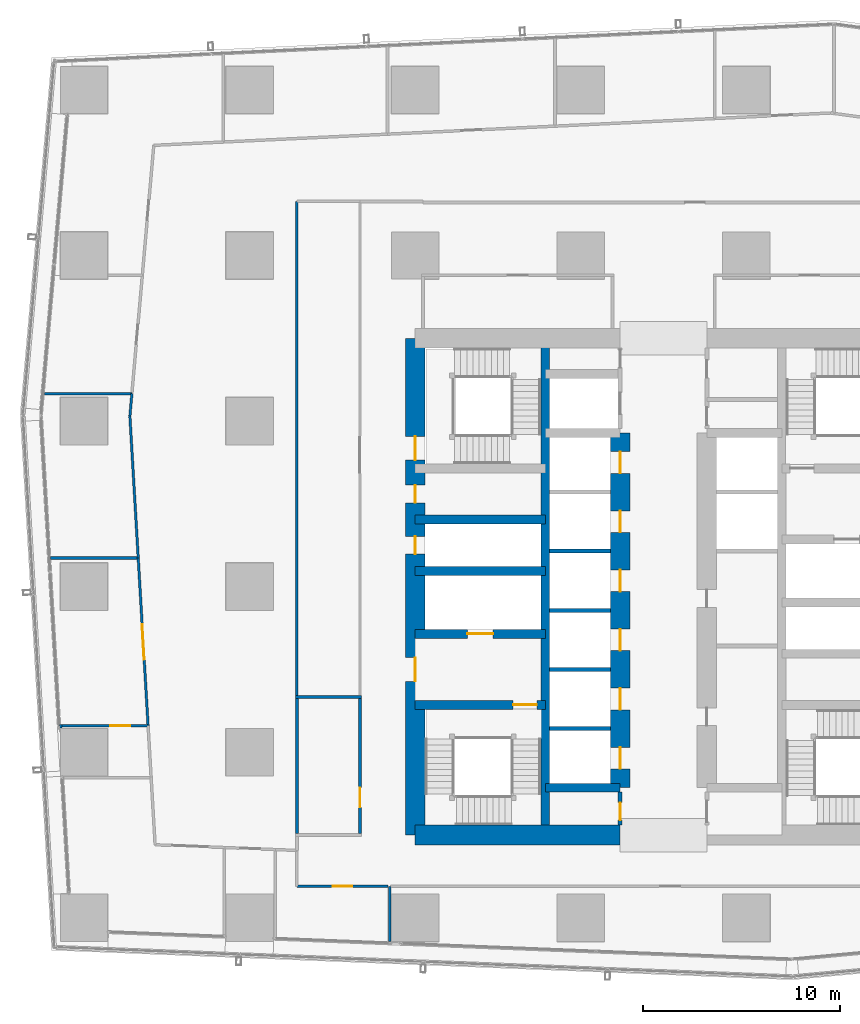
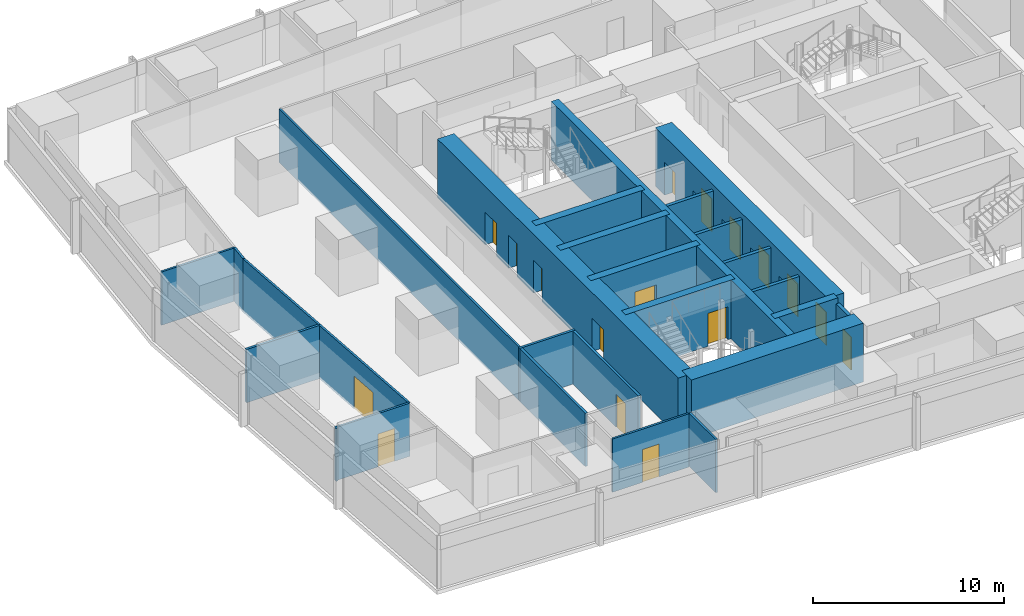
# One storey, part 23 of 34: 27 walls, 17 doors, 17 openings.
"""IFC4 building model written with IfcOpenShell, lengths in metres."""

from ifc_helpers import new_model, si_unit, direction, frame, frame_2d, origin, place, context, subcontext, project, spatial, rectangle, extrude, material, layer, layer_set, type_object, element, fill, save


model = new_model("IFC4")

# Units and contexts
model_context = context("Model", 3, precision=1e-05, world=origin(), true_north=direction((0.0, 1.0)))
body_context = subcontext(model_context, "Body", "Model", "MODEL_VIEW")
ifc_project = project(units=[si_unit("LENGTHUNIT", "METRE"), si_unit("AREAUNIT", "SQUARE_METRE"), si_unit("VOLUMEUNIT", "CUBIC_METRE"), si_unit("PLANEANGLEUNIT", "RADIAN"), si_unit("MASSUNIT", "GRAM", prefix="KILO")], contexts=[model_context])

# Site, building, storey
site_placement = place(None, origin())
site = spatial("IfcSite", under=ifc_project, at=site_placement, CompositionType="ELEMENT")
building_placement = place(site_placement, origin())
building = spatial("IfcBuilding", under=site, at=building_placement, Name="Rekha Terrace Tower", CompositionType="ELEMENT")
storey_placement = place(building_placement, frame((0.0, 0.0, 236.449951171875)))
storey = spatial("IfcBuildingStorey", under=building, at=storey_placement, Name="L60", CompositionType="ELEMENT", Elevation=236.449951171875)

# Walls
ifc_material_1 = material(Name="Concrete M60", Category="concrete")
ifc_layer_1 = layer(ifc_material_1, 0.449951171875)
ifc_layer_set_1 = layer_set([ifc_layer_1], Name="Concrete M60")
wall_type_1 = type_object("IfcWallType", Name="CI3 450 core internal shear wall", PredefinedType="SHEAR", material=ifc_layer_set_1)
wall_1_placement = place(storey_placement, frame((31.800048828125, 21.0, 0.0), z_axis=(0.0, 0.0, 1.0), x_axis=(0.0, 1.0, 0.0)))
element("IfcWall", 1, at=wall_1_placement, inside=storey, type_object=wall_type_1, Name="Core wall X318 L60", PredefinedType="SHEAR", context=body_context, shape_type="SweptSolid", body=[
    extrude(rectangle(XDim=25.199951171875, YDim=0.449951171875, at=frame_2d((12.60009765625, 0.0))), origin(), (0.0, 0.0, 1.0), 3.75),
])
wall_2_placement = place(storey_placement, frame((31.800048828125, 23.39990234375, 0.0), z_axis=(0.0, 0.0, 1.0), x_axis=(1.0, 0.0, 0.0)))
element("IfcWall", 2, at=wall_2_placement, inside=storey, type_object=wall_type_1, Name="Core wall Y234W L60", PredefinedType="SHEAR", context=body_context, shape_type="SweptSolid", body=[
    extrude(rectangle(XDim=3.800048828125, YDim=0.449951171875, at=frame_2d((1.89990234375, 0.0))), origin(), (0.0, 0.0, 1.0), 3.75),
])

# Wall, opening, door
wall_3_placement = place(storey_placement, frame((25.199951171875, 27.60009765625, 0.0), z_axis=(0.0, 0.0, 1.0), x_axis=(1.0, 0.0, 0.0)))
wall_3 = element("IfcWall", 3, at=wall_3_placement, inside=storey, type_object=wall_type_1, Name="Core wall Y276W L60", PredefinedType="SHEAR", context=body_context, shape_type="SweptSolid", body=[
    extrude(rectangle(XDim=6.60009765625, YDim=0.449951171875, at=frame_2d((3.300048828125, 0.0))), origin(), (0.0, 0.0, 1.0), 3.75),
])
opening_1_placement = place(wall_3_placement, frame((4.97509765625, 0.0, 0.0)))
opening_1 = element("IfcOpeningElement", 4, at=opening_1_placement, cuts=wall_3, Name="Opening D1", PredefinedType="OPENING", context=body_context, shape_type="SweptSolid", body=[
    extrude(rectangle(XDim=1.199951171875, YDim=2.10009765625, at=frame_2d((0.60009765625, 1.050048828125))), frame((0.0, 0.23486328125, 0.0), z_axis=(0.0, -1.0, 0.0), x_axis=(1.0, 0.0, 0.0)), (0.0, 0.0, 1.0), 0.469970703125),
])
ifc_material_2 = material(Name="Steel fire door", Category="steel")
door_type_1 = type_object("IfcDoorType", Name="D1 1200x2100 stair fire door", OperationType="SINGLE_SWING_RIGHT", PredefinedType="DOOR", material=ifc_material_2)
door_1_placement = place(opening_1_placement, origin())
door_1 = element("IfcDoor", 5, at=door_1_placement, inside=storey, type_object=door_type_1, Name="Stair ST1 door L60", OperationType="SINGLE_SWING_RIGHT", OverallHeight=2.10009765625, OverallWidth=1.199951171875, PredefinedType="DOOR", context=body_context, shape_type="SweptSolid", body=[
    extrude(rectangle(XDim=1.199951171875, YDim=2.10009765625, at=frame_2d((0.60009765625, 1.050048828125))), frame((0.0, 0.02490234375, 0.0), z_axis=(0.0, -1.0, 0.0), x_axis=(1.0, 0.0, 0.0)), (0.0, 0.0, 1.0), 0.050048828125),
])
fill(opening_1, door_1)

wall_4_placement = place(storey_placement, frame((25.199951171875, 31.199951171875, 0.0), z_axis=(0.0, 0.0, 1.0), x_axis=(1.0, 0.0, 0.0)))
wall_4 = element("IfcWall", 6, at=wall_4_placement, inside=storey, type_object=wall_type_1, Name="Core wall Y312W L60", PredefinedType="SHEAR", context=body_context, shape_type="SweptSolid", body=[
    extrude(rectangle(XDim=6.60009765625, YDim=0.449951171875, at=frame_2d((3.300048828125, 0.0))), origin(), (0.0, 0.0, 1.0), 3.75),
])
opening_2_placement = place(wall_4_placement, frame((2.64990234375, 0.0, 0.0)))
opening_2 = element("IfcOpeningElement", 7, at=opening_2_placement, cuts=wall_4, Name="Opening LD2", PredefinedType="OPENING", context=body_context, shape_type="SweptSolid", body=[
    extrude(rectangle(XDim=1.300048828125, YDim=2.10009765625, at=frame_2d((0.64990234375, 1.050048828125))), frame((0.0, 0.23486328125, 0.0), z_axis=(0.0, -1.0, 0.0), x_axis=(1.0, 0.0, 0.0)), (0.0, 0.0, 1.0), 0.469970703125),
])
ifc_material_3 = material(Name="Stainless steel sliding landing door", Category="steel")
door_type_2 = type_object("IfcDoorType", Name="LD2 1300x2100 fire lift landing door", OperationType="SLIDING_TO_LEFT", PredefinedType="USERDEFINED", material=ifc_material_3)
door_2_placement = place(opening_2_placement, origin())
door_2 = element("IfcDoor", 8, at=door_2_placement, inside=storey, type_object=door_type_2, Name="Lift FL1 landing door L60", ObjectType="LIFT LANDING DOOR", OperationType="SLIDING_TO_LEFT", OverallHeight=2.10009765625, OverallWidth=1.300048828125, PredefinedType="USERDEFINED", context=body_context, shape_type="SweptSolid", body=[
    extrude(rectangle(XDim=1.300048828125, YDim=2.10009765625, at=frame_2d((0.64990234375, 1.050048828125))), frame((0.0, 0.02490234375, 0.0), z_axis=(0.0, -1.0, 0.0), x_axis=(1.0, 0.0, 0.0)), (0.0, 0.0, 1.0), 0.050048828125),
])
fill(opening_2, door_2)

# Walls
for number, where, z_axis, x_axis, name in (
    (9, (25.199951171875, 34.39990234375, 0.0), (0.0, 0.0, 1.0), (1.0, 0.0, 0.0), "Core wall Y344W L60"),
    (10, (25.199951171875, 37.0, 0.0), (0.0, 0.0, 1.0), (1.0, 0.0, 0.0), "Core wall Y370W L60"),
):
    element("IfcWall", number, at=place(storey_placement, frame(where, z_axis=z_axis, x_axis=x_axis)), inside=storey, type_object=wall_type_1, Name=name, PredefinedType="SHEAR", context=body_context, shape_type="SweptSolid", body=[
        extrude(rectangle(XDim=6.60009765625, YDim=0.449951171875, at=frame_2d((3.300048828125, 0.0))), origin(), (0.0, 0.0, 1.0), 3.75),
    ])

# Wall, openings, doors
ifc_layer_2 = layer(ifc_material_1, 1.0)
ifc_layer_set_2 = layer_set([ifc_layer_2], Name="Concrete M60")
wall_type_2 = type_object("IfcWallType", Name="LW3 1000 core lobby wall at an outrigger level", PredefinedType="SHEAR", material=ifc_layer_set_2)
wall_5_placement = place(storey_placement, frame((35.60009765625, 23.39990234375, 0.0), z_axis=(0.0, 0.0, 1.0), x_axis=(0.0, 1.0, 0.0)))
wall_5 = element("IfcWall", 11, at=wall_5_placement, inside=storey, type_object=wall_type_2, Name="Core wall X356 L60", PredefinedType="SHEAR", context=body_context, shape_type="SweptSolid", body=[
    extrude(rectangle(XDim=18.0, YDim=1.0, at=frame_2d((9.0, 0.0))), origin(), (0.0, 0.0, 1.0), 3.75),
])
opening_3_placement = place(wall_5_placement, frame((0.949951171875, 0.0, 0.0)))
opening_3 = element("IfcOpeningElement", 12, at=opening_3_placement, cuts=wall_5, Name="Opening LD1", PredefinedType="OPENING", context=body_context, shape_type="SweptSolid", body=[
    extrude(rectangle(XDim=1.10009765625, YDim=2.10009765625, at=frame_2d((0.550048828125, 1.050048828125))), frame((0.0, 0.510009765625, 0.0), z_axis=(0.0, -1.0, 0.0), x_axis=(1.0, 0.0, 0.0)), (0.0, 0.0, 1.0), 1.02001953125),
])
opening_4_placement = place(wall_5_placement, frame((3.949951171875, 0.0, 0.0)))
opening_4 = element("IfcOpeningElement", 13, at=opening_4_placement, cuts=wall_5, Name="Opening LD1", PredefinedType="OPENING", context=body_context, shape_type="SweptSolid", body=[
    extrude(rectangle(XDim=1.10009765625, YDim=2.10009765625, at=frame_2d((0.550048828125, 1.050048828125))), frame((0.0, 0.510009765625, 0.0), z_axis=(0.0, -1.0, 0.0), x_axis=(1.0, 0.0, 0.0)), (0.0, 0.0, 1.0), 1.02001953125),
])
opening_5_placement = place(wall_5_placement, frame((6.949951171875, 0.0, 0.0)))
opening_5 = element("IfcOpeningElement", 14, at=opening_5_placement, cuts=wall_5, Name="Opening LD1", PredefinedType="OPENING", context=body_context, shape_type="SweptSolid", body=[
    extrude(rectangle(XDim=1.10009765625, YDim=2.10009765625, at=frame_2d((0.550048828125, 1.050048828125))), frame((0.0, 0.510009765625, 0.0), z_axis=(0.0, -1.0, 0.0), x_axis=(1.0, 0.0, 0.0)), (0.0, 0.0, 1.0), 1.02001953125),
])
opening_6_placement = place(wall_5_placement, frame((9.949951171875, 0.0, 0.0)))
opening_6 = element("IfcOpeningElement", 15, at=opening_6_placement, cuts=wall_5, Name="Opening LD1", PredefinedType="OPENING", context=body_context, shape_type="SweptSolid", body=[
    extrude(rectangle(XDim=1.10009765625, YDim=2.10009765625, at=frame_2d((0.550048828125, 1.050048828125))), frame((0.0, 0.510009765625, 0.0), z_axis=(0.0, -1.0, 0.0), x_axis=(1.0, 0.0, 0.0)), (0.0, 0.0, 1.0), 1.02001953125),
])
opening_7_placement = place(wall_5_placement, frame((12.949951171875, 0.0, 0.0)))
opening_7 = element("IfcOpeningElement", 16, at=opening_7_placement, cuts=wall_5, Name="Opening LD1", PredefinedType="OPENING", context=body_context, shape_type="SweptSolid", body=[
    extrude(rectangle(XDim=1.10009765625, YDim=2.10009765625, at=frame_2d((0.550048828125, 1.050048828125))), frame((0.0, 0.510009765625, 0.0), z_axis=(0.0, -1.0, 0.0), x_axis=(1.0, 0.0, 0.0)), (0.0, 0.0, 1.0), 1.02001953125),
])
opening_8_placement = place(wall_5_placement, frame((15.949951171875, 0.0, 0.0)))
opening_8 = element("IfcOpeningElement", 17, at=opening_8_placement, cuts=wall_5, Name="Opening LD1", PredefinedType="OPENING", context=body_context, shape_type="SweptSolid", body=[
    extrude(rectangle(XDim=1.10009765625, YDim=2.10009765625, at=frame_2d((0.550048828125, 1.050048828125))), frame((0.0, 0.510009765625, 0.0), z_axis=(0.0, -1.0, 0.0), x_axis=(1.0, 0.0, 0.0)), (0.0, 0.0, 1.0), 1.02001953125),
])
door_type_3 = type_object("IfcDoorType", Name="LD1 1100x2100 lift landing door", OperationType="SLIDING_TO_LEFT", PredefinedType="USERDEFINED", material=ifc_material_3)
door_3_placement = place(opening_3_placement, origin())
door_3 = element("IfcDoor", 18, at=door_3_placement, inside=storey, type_object=door_type_3, Name="Lift C1 landing door L60", ObjectType="LIFT LANDING DOOR", OperationType="SLIDING_TO_LEFT", OverallHeight=2.10009765625, OverallWidth=1.10009765625, PredefinedType="USERDEFINED", context=body_context, shape_type="SweptSolid", body=[
    extrude(rectangle(XDim=1.10009765625, YDim=2.10009765625, at=frame_2d((0.550048828125, 1.050048828125))), frame((0.0, 0.02490234375, 0.0), z_axis=(0.0, -1.0, 0.0), x_axis=(1.0, 0.0, 0.0)), (0.0, 0.0, 1.0), 0.050048828125),
])
fill(opening_3, door_3)
door_4_placement = place(opening_4_placement, origin())
door_4 = element("IfcDoor", 19, at=door_4_placement, inside=storey, type_object=door_type_3, Name="Lift C2 landing door L60", ObjectType="LIFT LANDING DOOR", OperationType="SLIDING_TO_LEFT", OverallHeight=2.10009765625, OverallWidth=1.10009765625, PredefinedType="USERDEFINED", context=body_context, shape_type="SweptSolid", body=[
    extrude(rectangle(XDim=1.10009765625, YDim=2.10009765625, at=frame_2d((0.550048828125, 1.050048828125))), frame((0.0, 0.02490234375, 0.0), z_axis=(0.0, -1.0, 0.0), x_axis=(1.0, 0.0, 0.0)), (0.0, 0.0, 1.0), 0.050048828125),
])
fill(opening_4, door_4)
door_5_placement = place(opening_5_placement, origin())
door_5 = element("IfcDoor", 20, at=door_5_placement, inside=storey, type_object=door_type_3, Name="Lift C3 landing door L60", ObjectType="LIFT LANDING DOOR", OperationType="SLIDING_TO_LEFT", OverallHeight=2.10009765625, OverallWidth=1.10009765625, PredefinedType="USERDEFINED", context=body_context, shape_type="SweptSolid", body=[
    extrude(rectangle(XDim=1.10009765625, YDim=2.10009765625, at=frame_2d((0.550048828125, 1.050048828125))), frame((0.0, 0.02490234375, 0.0), z_axis=(0.0, -1.0, 0.0), x_axis=(1.0, 0.0, 0.0)), (0.0, 0.0, 1.0), 0.050048828125),
])
fill(opening_5, door_5)
door_6_placement = place(opening_6_placement, origin())
door_6 = element("IfcDoor", 21, at=door_6_placement, inside=storey, type_object=door_type_3, Name="Lift C4 landing door L60", ObjectType="LIFT LANDING DOOR", OperationType="SLIDING_TO_LEFT", OverallHeight=2.10009765625, OverallWidth=1.10009765625, PredefinedType="USERDEFINED", context=body_context, shape_type="SweptSolid", body=[
    extrude(rectangle(XDim=1.10009765625, YDim=2.10009765625, at=frame_2d((0.550048828125, 1.050048828125))), frame((0.0, 0.02490234375, 0.0), z_axis=(0.0, -1.0, 0.0), x_axis=(1.0, 0.0, 0.0)), (0.0, 0.0, 1.0), 0.050048828125),
])
fill(opening_6, door_6)
door_7_placement = place(opening_7_placement, origin())
door_7 = element("IfcDoor", 22, at=door_7_placement, inside=storey, type_object=door_type_3, Name="Lift C5 landing door L60", ObjectType="LIFT LANDING DOOR", OperationType="SLIDING_TO_LEFT", OverallHeight=2.10009765625, OverallWidth=1.10009765625, PredefinedType="USERDEFINED", context=body_context, shape_type="SweptSolid", body=[
    extrude(rectangle(XDim=1.10009765625, YDim=2.10009765625, at=frame_2d((0.550048828125, 1.050048828125))), frame((0.0, 0.02490234375, 0.0), z_axis=(0.0, -1.0, 0.0), x_axis=(1.0, 0.0, 0.0)), (0.0, 0.0, 1.0), 0.050048828125),
])
fill(opening_7, door_7)
door_8_placement = place(opening_8_placement, origin())
door_8 = element("IfcDoor", 23, at=door_8_placement, inside=storey, type_object=door_type_3, Name="Lift C6 landing door L60", ObjectType="LIFT LANDING DOOR", OperationType="SLIDING_TO_LEFT", OverallHeight=2.10009765625, OverallWidth=1.10009765625, PredefinedType="USERDEFINED", context=body_context, shape_type="SweptSolid", body=[
    extrude(rectangle(XDim=1.10009765625, YDim=2.10009765625, at=frame_2d((0.550048828125, 1.050048828125))), frame((0.0, 0.02490234375, 0.0), z_axis=(0.0, -1.0, 0.0), x_axis=(1.0, 0.0, 0.0)), (0.0, 0.0, 1.0), 0.050048828125),
])
fill(opening_8, door_8)

# Wall
ifc_layer_3 = layer(ifc_material_1, 1.0)
ifc_layer_set_3 = layer_set([ifc_layer_3], Name="Concrete M60")
wall_type_3 = type_object("IfcWallType", Name="SW3 1000 core outer shear wall", PredefinedType="SHEAR", material=ifc_layer_set_3)
wall_6_placement = place(storey_placement, frame((25.199951171875, 21.0, 0.0), z_axis=(0.0, 0.0, 1.0), x_axis=(1.0, 0.0, 0.0)))
element("IfcWall", 24, at=wall_6_placement, inside=storey, type_object=wall_type_3, Name="Core wall S1 L60", PredefinedType="SHEAR", context=body_context, shape_type="SweptSolid", body=[
    extrude(rectangle(XDim=10.400146484375, YDim=1.0, at=frame_2d((5.2001953125, 0.0))), origin(), (0.0, 0.0, 1.0), 3.75),
])

# Wall, openings, doors
wall_7_placement = place(storey_placement, frame((25.199951171875, 21.0, 0.0), z_axis=(0.0, 0.0, 1.0), x_axis=(0.0, 1.0, 0.0)))
wall_7 = element("IfcWall", 25, at=wall_7_placement, inside=storey, type_object=wall_type_3, Name="Core wall W L60", PredefinedType="SHEAR", context=body_context, shape_type="SweptSolid", body=[
    extrude(rectangle(XDim=25.199951171875, YDim=1.0, at=frame_2d((12.60009765625, 0.0))), origin(), (0.0, 0.0, 1.0), 3.75),
])
opening_9_placement = place(wall_7_placement, frame((7.800048828125, 0.0, 0.0)))
opening_9 = element("IfcOpeningElement", 26, at=opening_9_placement, cuts=wall_7, Name="Opening D2", PredefinedType="OPENING", context=body_context, shape_type="SweptSolid", body=[
    extrude(rectangle(XDim=1.199951171875, YDim=2.10009765625, at=frame_2d((0.60009765625, 1.050048828125))), frame((0.0, 0.510009765625, 0.0), z_axis=(0.0, -1.0, 0.0), x_axis=(1.0, 0.0, 0.0)), (0.0, 0.0, 1.0), 1.02001953125),
])
opening_10_placement = place(wall_7_placement, frame((14.25, 0.0, 0.0)))
opening_10 = element("IfcOpeningElement", 27, at=opening_10_placement, cuts=wall_7, Name="Opening D5", PredefinedType="OPENING", context=body_context, shape_type="SweptSolid", body=[
    extrude(rectangle(XDim=0.89990234375, YDim=2.10009765625, at=frame_2d((0.449951171875, 1.050048828125))), frame((0.0, 0.510009765625, 0.0), z_axis=(0.0, -1.0, 0.0), x_axis=(1.0, 0.0, 0.0)), (0.0, 0.0, 1.0), 1.02001953125),
])
opening_11_placement = place(wall_7_placement, frame((16.85009765625, 0.0, 0.0)))
opening_11 = element("IfcOpeningElement", 28, at=opening_11_placement, cuts=wall_7, Name="Opening D5", PredefinedType="OPENING", context=body_context, shape_type="SweptSolid", body=[
    extrude(rectangle(XDim=0.89990234375, YDim=2.10009765625, at=frame_2d((0.449951171875, 1.050048828125))), frame((0.0, 0.510009765625, 0.0), z_axis=(0.0, -1.0, 0.0), x_axis=(1.0, 0.0, 0.0)), (0.0, 0.0, 1.0), 1.02001953125),
])
opening_12_placement = place(wall_7_placement, frame((19.02490234375, 0.0, 0.0)))
opening_12 = element("IfcOpeningElement", 29, at=opening_12_placement, cuts=wall_7, Name="Opening D1", PredefinedType="OPENING", context=body_context, shape_type="SweptSolid", body=[
    extrude(rectangle(XDim=1.199951171875, YDim=2.10009765625, at=frame_2d((0.60009765625, 1.050048828125))), frame((0.0, 0.510009765625, 0.0), z_axis=(0.0, -1.0, 0.0), x_axis=(1.0, 0.0, 0.0)), (0.0, 0.0, 1.0), 1.02001953125),
])
door_9_placement = place(opening_12_placement, origin())
door_9 = element("IfcDoor", 30, at=door_9_placement, inside=storey, type_object=door_type_1, Name="Stair ST4 door L60", OperationType="SINGLE_SWING_RIGHT", OverallHeight=2.10009765625, OverallWidth=1.199951171875, PredefinedType="DOOR", context=body_context, shape_type="SweptSolid", body=[
    extrude(rectangle(XDim=1.199951171875, YDim=2.10009765625, at=frame_2d((0.60009765625, 1.050048828125))), frame((0.0, 0.02490234375, 0.0), z_axis=(0.0, -1.0, 0.0), x_axis=(1.0, 0.0, 0.0)), (0.0, 0.0, 1.0), 0.050048828125),
])
fill(opening_12, door_9)
door_type_4 = type_object("IfcDoorType", Name="D2 1200x2100 firefighting lobby door", OperationType="SINGLE_SWING_LEFT", PredefinedType="DOOR", material=ifc_material_2)
door_10_placement = place(opening_9_placement, origin())
door_10 = element("IfcDoor", 31, at=door_10_placement, inside=storey, type_object=door_type_4, Name="Door flb1 L60", OperationType="SINGLE_SWING_LEFT", OverallHeight=2.10009765625, OverallWidth=1.199951171875, PredefinedType="DOOR", context=body_context, shape_type="SweptSolid", body=[
    extrude(rectangle(XDim=1.199951171875, YDim=2.10009765625, at=frame_2d((0.60009765625, 1.050048828125))), frame((0.0, 0.02490234375, 0.0), z_axis=(0.0, -1.0, 0.0), x_axis=(1.0, 0.0, 0.0)), (0.0, 0.0, 1.0), 0.050048828125),
])
fill(opening_9, door_10)
door_type_5 = type_object("IfcDoorType", Name="D5 900x2100 riser access door", OperationType="SINGLE_SWING_LEFT", PredefinedType="DOOR", material=ifc_material_2)
door_11_placement = place(opening_10_placement, origin())
door_11 = element("IfcDoor", 32, at=door_11_placement, inside=storey, type_object=door_type_5, Name="Door rs1 L60", OperationType="SINGLE_SWING_LEFT", OverallHeight=2.10009765625, OverallWidth=0.89990234375, PredefinedType="DOOR", context=body_context, shape_type="SweptSolid", body=[
    extrude(rectangle(XDim=0.89990234375, YDim=2.10009765625, at=frame_2d((0.449951171875, 1.050048828125))), frame((0.0, 0.02490234375, 0.0), z_axis=(0.0, -1.0, 0.0), x_axis=(1.0, 0.0, 0.0)), (0.0, 0.0, 1.0), 0.050048828125),
])
fill(opening_10, door_11)
door_12_placement = place(opening_11_placement, origin())
door_12 = element("IfcDoor", 33, at=door_12_placement, inside=storey, type_object=door_type_5, Name="Door elw L60", OperationType="SINGLE_SWING_LEFT", OverallHeight=2.10009765625, OverallWidth=0.89990234375, PredefinedType="DOOR", context=body_context, shape_type="SweptSolid", body=[
    extrude(rectangle(XDim=0.89990234375, YDim=2.10009765625, at=frame_2d((0.449951171875, 1.050048828125))), frame((0.0, 0.02490234375, 0.0), z_axis=(0.0, -1.0, 0.0), x_axis=(1.0, 0.0, 0.0)), (0.0, 0.0, 1.0), 0.050048828125),
])
fill(opening_11, door_12)

# Walls
ifc_material_4 = material(Name="Concrete block masonry, 1 hour", Category="masonry")
ifc_layer_4 = layer(ifc_material_4, 0.14990234375)
ifc_layer_set_4 = layer_set([ifc_layer_4], Name="Concrete block masonry, 1 hour")
wall_type_4 = type_object("IfcWallType", Name="WP2 150 tenancy partition", PredefinedType="PARTITIONING", material=ifc_layer_set_4)
wall_8_placement = place(storey_placement, frame((19.125, 28.0, 0.0), z_axis=(0.0, 0.0, 1.0), x_axis=(1.0, 0.0, 0.0)))
element("IfcWall", 34, at=wall_8_placement, inside=storey, type_object=wall_type_4, Name="Men's WC wall L60", PredefinedType="PARTITIONING", context=body_context, shape_type="SweptSolid", body=[
    extrude(rectangle(XDim=3.35009765625, YDim=0.14990234375, at=frame_2d((1.675048828125, 0.0))), origin(), (0.0, 0.0, 1.0), 3.400146484375),
])
wall_9_placement = place(storey_placement, frame((19.199951171875, 21.074951171875, 0.0), z_axis=(0.0, 0.0, 1.0), x_axis=(0.0, 1.0, 0.0)))
element("IfcWall", 35, at=wall_9_placement, inside=storey, type_object=wall_type_4, Name="Men's WC wall L60", PredefinedType="PARTITIONING", context=body_context, shape_type="SweptSolid", body=[
    extrude(rectangle(XDim=6.85009765625, YDim=0.14990234375, at=frame_2d((3.425048828125, 0.0))), origin(), (0.0, 0.0, 1.0), 3.400146484375),
])

# Wall, opening, door
wall_10_placement = place(storey_placement, frame((22.39990234375, 21.074951171875, 0.0), z_axis=(0.0, 0.0, 1.0), x_axis=(0.0, 1.0, 0.0)))
wall_10 = element("IfcWall", 36, at=wall_10_placement, inside=storey, type_object=wall_type_4, Name="Men's WC wall L60", PredefinedType="PARTITIONING", context=body_context, shape_type="SweptSolid", body=[
    extrude(rectangle(XDim=6.85009765625, YDim=0.14990234375, at=frame_2d((3.425048828125, 0.0))), origin(), (0.0, 0.0, 1.0), 3.400146484375),
])
opening_13_placement = place(wall_10_placement, frame((1.324951171875, 0.0, 0.0)))
opening_13 = element("IfcOpeningElement", 37, at=opening_13_placement, cuts=wall_10, Name="Opening D3", PredefinedType="OPENING", context=body_context, shape_type="SweptSolid", body=[
    extrude(rectangle(XDim=1.0, YDim=2.10009765625, at=frame_2d((0.5, 1.050048828125))), frame((0.0, 0.0849609375, 0.0), z_axis=(0.0, -1.0, 0.0), x_axis=(1.0, 0.0, 0.0)), (0.0, 0.0, 1.0), 0.169921875),
])
ifc_material_5 = material(Name="Laminated timber fire door", Category="wood")
door_type_6 = type_object("IfcDoorType", Name="D3 1000x2100 WC door", OperationType="SINGLE_SWING_LEFT", PredefinedType="DOOR", material=ifc_material_5)
door_13_placement = place(opening_13_placement, origin())
door_13 = element("IfcDoor", 38, at=door_13_placement, inside=storey, type_object=door_type_6, Name="Door men's wc L60", OperationType="SINGLE_SWING_LEFT", OverallHeight=2.10009765625, OverallWidth=1.0, PredefinedType="DOOR", context=body_context, shape_type="SweptSolid", body=[
    extrude(rectangle(XDim=1.0, YDim=2.10009765625, at=frame_2d((0.5, 1.050048828125))), frame((0.0, 0.02490234375, 0.0), z_axis=(0.0, -1.0, 0.0), x_axis=(1.0, 0.0, 0.0)), (0.0, 0.0, 1.0), 0.050048828125),
])
fill(opening_13, door_13)

# Walls
wall_11_placement = place(storey_placement, frame((11.0859375, 35.05908203125, 0.0), z_axis=(0.0, 0.0, 1.0), x_axis=(-1.0, 0.0, 0.0)))
element("IfcWall", 39, at=wall_11_placement, inside=storey, type_object=wall_type_4, Name="Partition L60-O1", PredefinedType="PARTITIONING", context=body_context, shape_type="SweptSolid", body=[
    extrude(rectangle(XDim=4.39599609375, YDim=0.14990234375, at=frame_2d((2.197998046875, 0.0))), origin(), (0.0, 0.0, 1.0), 3.400146484375),
])
ifc_material_6 = material(Name="Two layers of fire-rated gypsum board each side on steel studs, acoustic quilt, 1 hour", Category="steel")
ifc_layer_5 = layer(ifc_material_6, 0.125)
ifc_layer_set_5 = layer_set([ifc_layer_5], Name="Two layers of fire-rated gypsum board each side on steel studs, acoustic quilt, 1 hour")
wall_type_5 = type_object("IfcWallType", Name="WP3 125 office partition", PredefinedType="PARTITIONING", material=ifc_layer_set_5)
wall_12_placement = place(storey_placement, frame((23.906982421875, 15.60595703125, 0.0), z_axis=(0.0, 0.0, 1.0), x_axis=(0.0, 1.0, 0.0)))
element("IfcWall", 40, at=wall_12_placement, inside=storey, type_object=wall_type_5, Name="Partition L60-02", PredefinedType="PARTITIONING", context=body_context, shape_type="SweptSolid", body=[
    extrude(rectangle(XDim=2.7939453125, YDim=0.125, at=frame_2d((1.39697265625, 0.0))), origin(), (0.0, 0.0, 1.0), 3.400146484375),
])
wall_13_placement = place(storey_placement, frame((10.825927734375, 43.39208984375, 0.0), z_axis=(0.0, 0.0, 1.0), x_axis=(-1.0, 0.0, 0.0)))
element("IfcWall", 41, at=wall_13_placement, inside=storey, type_object=wall_type_5, Name="Partition L60-08", PredefinedType="PARTITIONING", context=body_context, shape_type="SweptSolid", body=[
    extrude(rectangle(XDim=4.43798828125, YDim=0.125, at=frame_2d((2.218994140625, 0.0))), origin(), (0.0, 0.0, 1.0), 3.400146484375),
])
wall_14_placement = place(storey_placement, frame((10.825927734375, 43.39111328125, 0.0), z_axis=(0.0, 0.0, 1.0), x_axis=(-0.087943526258, -0.996125462073, 0.0)))
element("IfcWall", 42, at=wall_14_placement, inside=storey, type_object=wall_type_5, Name="Partition L60-09", PredefinedType="PARTITIONING", context=body_context, shape_type="SweptSolid", body=[
    extrude(rectangle(XDim=1.146484375, YDim=0.125, at=frame_2d((0.5732421875, 0.0))), origin(), (0.0, 0.0, 1.0), 3.400146484375),
])
wall_15_placement = place(storey_placement, frame((10.72509765625, 42.2490234375, 0.0), z_axis=(0.0, 0.0, 1.0), x_axis=(0.058725997192, -0.998274139329, 0.0)))
element("IfcWall", 43, at=wall_15_placement, inside=storey, type_object=wall_type_5, Name="Partition L60-09", PredefinedType="PARTITIONING", context=body_context, shape_type="SweptSolid", body=[
    extrude(rectangle(XDim=7.200439453125, YDim=0.125, at=frame_2d((3.60009765625, 0.0))), origin(), (0.0, 0.0, 1.0), 3.400146484375),
])

# Wall, opening, door
wall_16_placement = place(storey_placement, frame((11.14794921875, 35.06103515625, 0.0), z_axis=(0.0, 0.0, 1.0), x_axis=(0.058740480754, -0.998273287192, 0.0)))
wall_16 = element("IfcWall", 44, at=wall_16_placement, inside=storey, type_object=wall_type_5, Name="Partition L60-09", PredefinedType="PARTITIONING", context=body_context, shape_type="SweptSolid", body=[
    extrude(rectangle(XDim=8.528564453125, YDim=0.125, at=frame_2d((4.26416015625, 0.0))), origin(), (0.0, 0.0, 1.0), 3.400146484375),
])
opening_14_placement = place(wall_16_placement, frame((3.364013671875, 0.0, 0.0)))
opening_14 = element("IfcOpeningElement", 45, at=opening_14_placement, cuts=wall_16, Name="Opening D8", PredefinedType="OPENING", context=body_context, shape_type="SweptSolid", body=[
    extrude(rectangle(XDim=1.800048828125, YDim=2.10009765625, at=frame_2d((0.89990234375, 1.050048828125))), frame((0.0, 0.072509765625, 0.0), z_axis=(0.0, -1.0, 0.0), x_axis=(1.0, 0.0, 0.0)), (0.0, 0.0, 1.0), 0.14501953125),
])
ifc_material_7 = material(Name="Timber fire door", Category="wood")
door_type_7 = type_object("IfcDoorType", Name="D8 1800x2100 double leaf door", OperationType="DOUBLE_DOOR_SINGLE_SWING", PredefinedType="DOOR", material=ifc_material_7)
door_14_placement = place(opening_14_placement, origin())
door_14 = element("IfcDoor", 46, at=door_14_placement, inside=storey, type_object=door_type_7, Name="Door meeting room L60", OperationType="DOUBLE_DOOR_SINGLE_SWING", OverallHeight=2.10009765625, OverallWidth=1.800048828125, PredefinedType="DOOR", context=body_context, shape_type="SweptSolid", body=[
    extrude(rectangle(XDim=1.800048828125, YDim=2.10009765625, at=frame_2d((0.89990234375, 1.050048828125))), frame((0.0, 0.02490234375, 0.0), z_axis=(0.0, -1.0, 0.0), x_axis=(1.0, 0.0, 0.0)), (0.0, 0.0, 1.0), 0.050048828125),
])
fill(opening_14, door_14)

wall_17_placement = place(storey_placement, frame((11.64892578125, 26.547119140625, 0.0), z_axis=(0.0, 0.0, 1.0), x_axis=(-1.0, 0.0, 0.0)))
wall_17 = element("IfcWall", 47, at=wall_17_placement, inside=storey, type_object=wall_type_5, Name="Partition L60-09", PredefinedType="PARTITIONING", context=body_context, shape_type="SweptSolid", body=[
    extrude(rectangle(XDim=4.427978515625, YDim=0.125, at=frame_2d((2.2138671875, 0.0))), origin(), (0.0, 0.0, 1.0), 3.400146484375),
])
opening_15_placement = place(wall_17_placement, frame((0.9140625, 0.0, 0.0)))
opening_15 = element("IfcOpeningElement", 48, at=opening_15_placement, cuts=wall_17, Name="Opening D9", PredefinedType="OPENING", context=body_context, shape_type="SweptSolid", body=[
    extrude(rectangle(XDim=1.0, YDim=2.10009765625, at=frame_2d((0.5, 1.050048828125))), frame((0.0, 0.072509765625, 0.0), z_axis=(0.0, -1.0, 0.0), x_axis=(1.0, 0.0, 0.0)), (0.0, 0.0, 1.0), 0.14501953125),
])
door_type_8 = type_object("IfcDoorType", Name="D9 1000x2100 office door", OperationType="SINGLE_SWING_LEFT", PredefinedType="DOOR", material=ifc_material_7)
door_15_placement = place(opening_15_placement, origin())
door_15 = element("IfcDoor", 49, at=door_15_placement, inside=storey, type_object=door_type_8, Name="Door office L60", OperationType="SINGLE_SWING_LEFT", OverallHeight=2.10009765625, OverallWidth=1.0, PredefinedType="DOOR", context=body_context, shape_type="SweptSolid", body=[
    extrude(rectangle(XDim=1.0, YDim=2.10009765625, at=frame_2d((0.5, 1.050048828125))), frame((0.0, 0.02490234375, 0.0), z_axis=(0.0, -1.0, 0.0), x_axis=(1.0, 0.0, 0.0)), (0.0, 0.0, 1.0), 0.050048828125),
])
fill(opening_15, door_15)

wall_18_placement = place(storey_placement, frame((19.199951171875, 18.39990234375, 0.0), z_axis=(0.0, 0.0, 1.0), x_axis=(1.0, 0.0, 0.0)))
wall_18 = element("IfcWall", 50, at=wall_18_placement, inside=storey, type_object=wall_type_5, Name="Partition L60-13", PredefinedType="PARTITIONING", context=body_context, shape_type="SweptSolid", body=[
    extrude(rectangle(XDim=4.616943359375, YDim=0.125, at=frame_2d((2.30859375, 0.0))), origin(), (0.0, 0.0, 1.0), 3.400146484375),
])
opening_16_placement = place(wall_18_placement, frame((1.80810546875, 0.0, 0.0)))
opening_16 = element("IfcOpeningElement", 51, at=opening_16_placement, cuts=wall_18, Name="Opening D9", PredefinedType="OPENING", context=body_context, shape_type="SweptSolid", body=[
    extrude(rectangle(XDim=1.0, YDim=2.10009765625, at=frame_2d((0.5, 1.050048828125))), frame((0.0, 0.072509765625, 0.0), z_axis=(0.0, -1.0, 0.0), x_axis=(1.0, 0.0, 0.0)), (0.0, 0.0, 1.0), 0.14501953125),
])
door_16_placement = place(opening_16_placement, origin())
door_16 = element("IfcDoor", 52, at=door_16_placement, inside=storey, type_object=door_type_8, Name="Door meeting room L60", OperationType="SINGLE_SWING_LEFT", OverallHeight=2.10009765625, OverallWidth=1.0, PredefinedType="DOOR", context=body_context, shape_type="SweptSolid", body=[
    extrude(rectangle(XDim=1.0, YDim=2.10009765625, at=frame_2d((0.5, 1.050048828125))), frame((0.0, 0.02490234375, 0.0), z_axis=(0.0, -1.0, 0.0), x_axis=(1.0, 0.0, 0.0)), (0.0, 0.0, 1.0), 0.050048828125),
])
fill(opening_16, door_16)

# Walls
wall_19_placement = place(storey_placement, frame((19.199951171875, 28.074951171875, 0.0), z_axis=(0.0, 0.0, 1.0), x_axis=(0.0, 1.0, 0.0)))
element("IfcWall", 53, at=wall_19_placement, inside=storey, type_object=wall_type_5, Name="Partition L60-14", PredefinedType="PARTITIONING", context=body_context, shape_type="SweptSolid", body=[
    extrude(rectangle(XDim=25.074951171875, YDim=0.125, at=frame_2d((12.53759765625, 0.0))), origin(), (0.0, 0.0, 1.0), 3.400146484375),
])
wall_20_placement = place(storey_placement, frame((7.220947265625, 26.610107421875, 0.0), z_axis=(0.0, 0.0, 1.0), x_axis=(0.0, -1.0, 0.0)))
element("IfcWall", 54, at=wall_20_placement, inside=storey, type_object=wall_type_5, Name="Partition L60-09", PredefinedType="PARTITIONING", context=body_context, shape_type="SweptSolid", body=[
    extrude(rectangle(XDim=0.190185546875, YDim=0.125, at=frame_2d((0.09521484375, 0.0))), origin(), (0.0, 0.0, 1.0), 3.400146484375),
])
ifc_material_8 = material(Name="Solid concrete block masonry, 2 hour", Category="masonry")
ifc_layer_6 = layer(ifc_material_8, 0.199951171875)
ifc_layer_set_6 = layer_set([ifc_layer_6], Name="Solid concrete block masonry, 2 hour")
wall_type_6 = type_object("IfcWallType", Name="WS1 200 stair and shaft enclosure", PredefinedType="PARTITIONING", material=ifc_layer_set_6)
for number, where, z_axis, x_axis, name in (
    (55, (32.02490234375, 26.39990234375, 0.0), (0.0, 0.0, 1.0), (1.0, 0.0, 0.0), "Lift shaft divider L60"),
    (56, (32.02490234375, 29.39990234375, 0.0), (0.0, 0.0, 1.0), (1.0, 0.0, 0.0), "Lift shaft divider L60"),
    (57, (32.02490234375, 32.39990234375, 0.0), (0.0, 0.0, 1.0), (1.0, 0.0, 0.0), "Lift shaft divider L60"),
    (58, (32.02490234375, 35.39990234375, 0.0), (0.0, 0.0, 1.0), (1.0, 0.0, 0.0), "Lift shaft divider L60"),
):
    element("IfcWall", number, at=place(storey_placement, frame(where, z_axis=z_axis, x_axis=x_axis)), inside=storey, type_object=wall_type_6, Name=name, PredefinedType="PARTITIONING", context=body_context, shape_type="SweptSolid", body=[
        extrude(rectangle(XDim=3.0751953125, YDim=0.199951171875, at=frame_2d((1.53759765625, 0.0))), origin(), (0.0, 0.0, 1.0), 3.400146484375),
    ])

# Wall, opening, door
wall_21_placement = place(storey_placement, frame((35.60009765625, 21.5, 0.0), z_axis=(0.0, 0.0, 1.0), x_axis=(0.0, 1.0, 0.0)))
wall_21 = element("IfcWall", 59, at=wall_21_placement, inside=storey, type_object=wall_type_6, Name="Core partition west L60", PredefinedType="PARTITIONING", context=body_context, shape_type="SweptSolid", body=[
    extrude(rectangle(XDim=1.675048828125, YDim=0.199951171875, at=frame_2d((0.83740234375, 0.0))), origin(), (0.0, 0.0, 1.0), 3.400146484375),
])
opening_17_placement = place(wall_21_placement, frame((0.25, 0.0, 0.0)))
opening_17 = element("IfcOpeningElement", 60, at=opening_17_placement, cuts=wall_21, Name="Opening D5", PredefinedType="OPENING", context=body_context, shape_type="SweptSolid", body=[
    extrude(rectangle(XDim=0.89990234375, YDim=2.10009765625, at=frame_2d((0.449951171875, 1.050048828125))), frame((0.0, 0.10986328125, 0.0), z_axis=(0.0, -1.0, 0.0), x_axis=(1.0, 0.0, 0.0)), (0.0, 0.0, 1.0), 0.219970703125),
])
door_17_placement = place(opening_17_placement, origin())
door_17 = element("IfcDoor", 61, at=door_17_placement, inside=storey, type_object=door_type_5, Name="Door cleaner's store L60", OperationType="SINGLE_SWING_LEFT", OverallHeight=2.10009765625, OverallWidth=0.89990234375, PredefinedType="DOOR", context=body_context, shape_type="SweptSolid", body=[
    extrude(rectangle(XDim=0.89990234375, YDim=2.10009765625, at=frame_2d((0.449951171875, 1.050048828125))), frame((0.0, 0.02490234375, 0.0), z_axis=(0.0, -1.0, 0.0), x_axis=(1.0, 0.0, 0.0)), (0.0, 0.0, 1.0), 0.050048828125),
])
fill(opening_17, door_17)

save(model, "model.ifc")
